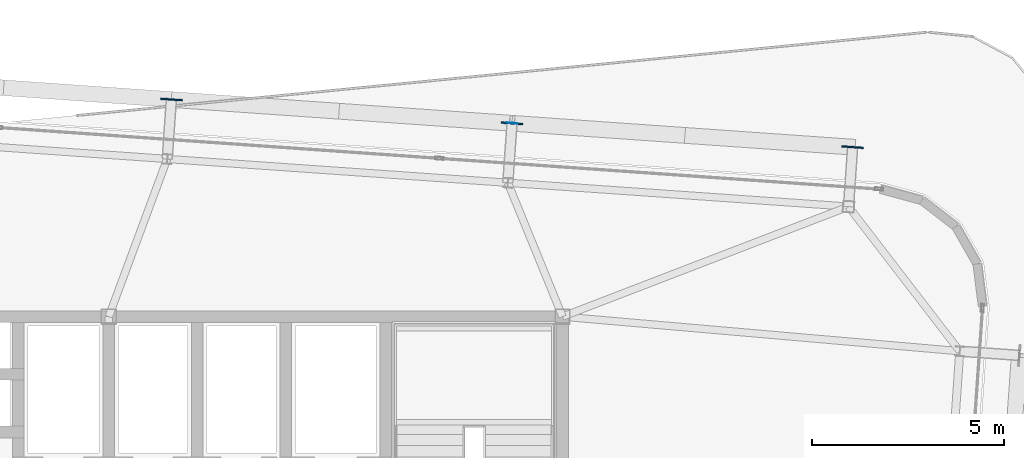
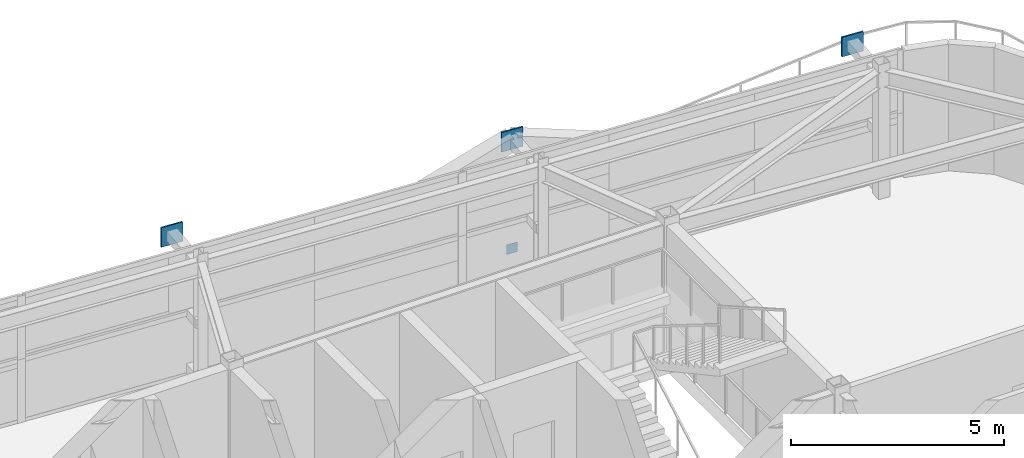
# One storey, part 30 of 36: 4 plates.
"""IFC4 building model written with IfcOpenShell, lengths in metres."""

from ifc_helpers import new_model, si_unit, direction, frame, origin, origin_2d, place, context, subcontext, project, spatial, rectangle, extrude, source, transform, mapped, material, layer, layer_set, type_object, element, save


model = new_model("IFC4")

# Units and contexts
model_context = context("Model", 3, precision=1e-05, world=origin(), true_north=direction((0.0, 1.0)))
body_context = subcontext(model_context, "Body", "Model", "MODEL_VIEW")
ifc_project = project(units=[si_unit("LENGTHUNIT", "METRE"), si_unit("AREAUNIT", "SQUARE_METRE"), si_unit("VOLUMEUNIT", "CUBIC_METRE"), si_unit("PLANEANGLEUNIT", "RADIAN"), si_unit("MASSUNIT", "GRAM", prefix="KILO")], contexts=[model_context])

# Site, building, storey
site_placement = place(None, origin())
site = spatial("IfcSite", under=ifc_project, at=site_placement, CompositionType="ELEMENT")
building_placement = place(site_placement, origin())
building = spatial("IfcBuilding", under=site, at=building_placement, Name="Taldren Reach Tower", CompositionType="ELEMENT")
storey_placement = place(building_placement, frame((0.0, 0.0, 116.550048828125)))
storey = spatial("IfcBuildingStorey", under=building, at=storey_placement, Name="L35", CompositionType="ELEMENT", Elevation=116.550048828125)

# Plates
ifc_material = material(Name="Steel Gr 450 (C450L0)", Category="steel")
ifc_layer_1 = layer(ifc_material, 0.0400390625)
ifc_layer_set_1 = layer_set([ifc_layer_1], Name="Steel Gr 450 (C450L0)")
plate_type_1 = type_object("IfcPlateType", Name="PL-GUSSET-40", PredefinedType="SHEET", material=ifc_layer_set_1)
shared_shape_1 = source(origin(), body_context, "Body", "SweptSolid", [
    extrude(rectangle(XDim=0.56005859375, YDim=0.0400390625, at=origin_2d()), origin(), (0.0, 0.0, 1.0), 0.56005859375),
])
for number, where, z_axis, x_axis, name in (
    (1, (40.827880859375, 37.646728515625, 3.06982421875), (0.0, 0.0, 1.0), (0.99756405026, -0.069756473744, 0.0), "Exoskeleton star-node gusset plate B3-N4 L35"),
    (2, (49.686279296875, 37.02734375, 3.06982421875), (0.0, 0.0, 1.0), (0.99756405026, -0.069756473744, 0.0), "Exoskeleton star-node gusset plate B3-N5 L35"),
    (3, (58.544677734375, 36.40771484375, 3.06982421875), (0.0, 0.0, 1.0), (0.99756405026, -0.069756473744, 0.0), "Exoskeleton star-node gusset plate B3-N6 L35"),
):
    element("IfcPlate", number, at=place(storey_placement, frame(where, z_axis=z_axis, x_axis=x_axis)), inside=storey, type_object=plate_type_1, Name=name, PredefinedType="SHEET", context=body_context, shape_type="MappedRepresentation", body=[
        mapped(shared_shape_1, transform((0.0, 0.0, 0.0), scale=1.0)),
    ])
ifc_layer_2 = layer(ifc_material, 0.011962890625)
ifc_layer_set_2 = layer_set([ifc_layer_2], Name="Steel Gr 450 (C450L0)")
plate_type_2 = type_object("IfcPlateType", Name="PL-CAP-275", PredefinedType="SHEET", material=ifc_layer_set_2)
shared_shape_2 = source(origin(), body_context, "Body", "SweptSolid", [
    extrude(rectangle(XDim=0.27490234375, YDim=0.011962890625, at=origin_2d()), origin(), (0.0, 0.0, 1.0), 0.27490234375),
])
plate_placement = place(storey_placement, frame((49.6865234375, 37.033203125, 0.08251953125), z_axis=(0.0, 0.0, 1.0), x_axis=(0.99756405026, -0.069756473744, 0.0)))
element("IfcPlate", 4, at=plate_placement, inside=storey, type_object=plate_type_2, Name="Tie strut end cap plate B3-N5 L35", PredefinedType="SHEET", context=body_context, shape_type="MappedRepresentation", body=[
    mapped(shared_shape_2, transform((0.0, 0.0, 0.0), scale=1.0)),
])

save(model, "model.ifc")
